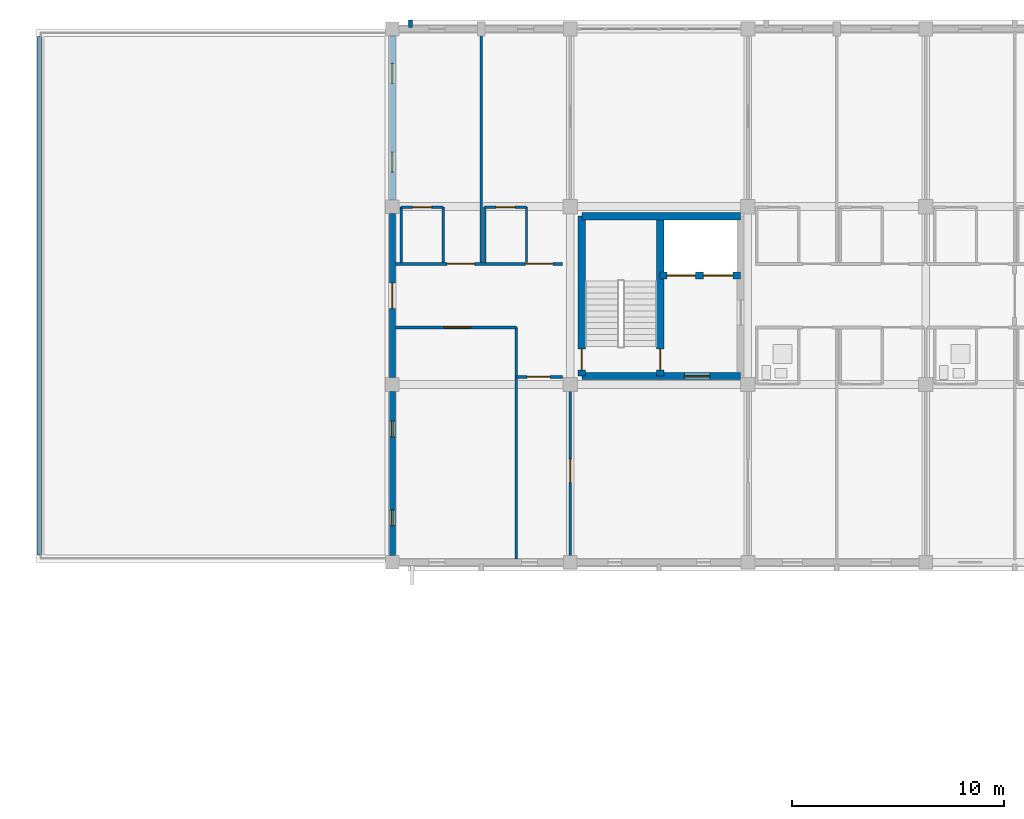
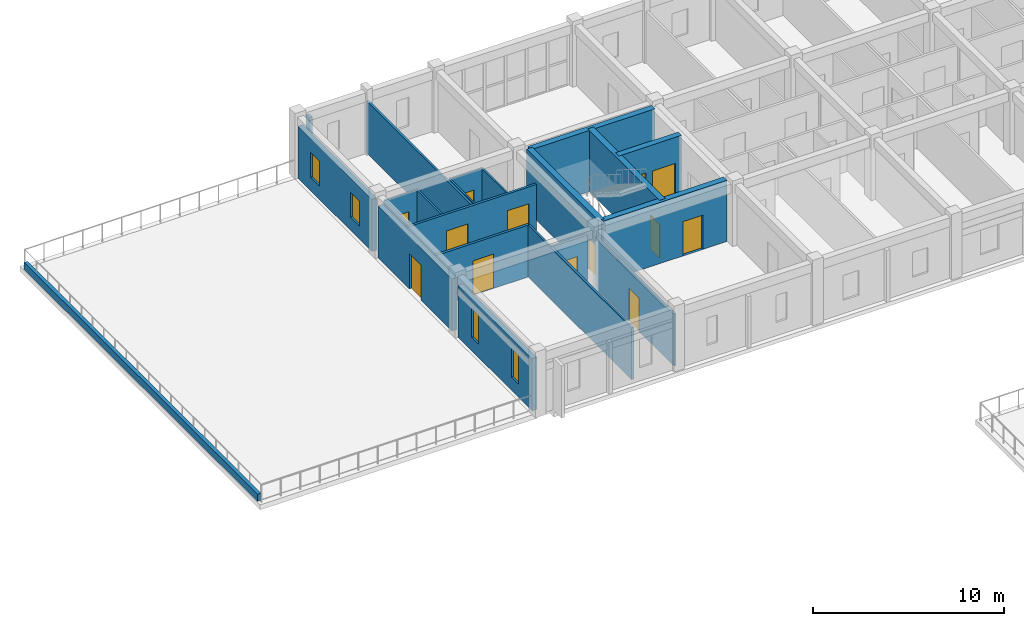
# One storey, part 69 of 90: 22 walls, 13 doors, 4 windows, 17 openings.
"""IFC4 building model written with IfcOpenShell, lengths in metres."""

from ifc_helpers import new_model, si_unit, direction, frame, frame_2d, origin, place, context, subcontext, project, spatial, rectangle, extrude, material, layer, layer_set, type_object, element, fill, save


model = new_model("IFC4")

# Units and contexts
model_context = context("Model", 3, precision=1e-05, world=origin(), true_north=direction((0.0, 1.0)))
body_context = subcontext(model_context, "Body", "Model", "MODEL_VIEW")
ifc_project = project(units=[si_unit("LENGTHUNIT", "METRE"), si_unit("AREAUNIT", "SQUARE_METRE"), si_unit("VOLUMEUNIT", "CUBIC_METRE"), si_unit("PLANEANGLEUNIT", "RADIAN"), si_unit("MASSUNIT", "GRAM", prefix="KILO")], contexts=[model_context])

# Site, building, storey
site_placement = place(None, origin())
site = spatial("IfcSite", under=ifc_project, at=site_placement, CompositionType="ELEMENT")
building_placement = place(site_placement, origin())
building = spatial("IfcBuilding", under=site, at=building_placement, Name="Trelvath General Hospital", CompositionType="ELEMENT")
storey_placement = place(building_placement, frame((0.0, 0.0, 20.39990234375)))
storey = spatial("IfcBuildingStorey", under=building, at=storey_placement, Name="L05", CompositionType="ELEMENT", Elevation=20.39990234375)

# Wall
ifc_material_1 = material(Name="Precast concrete C40/50", Category="concrete")
ifc_layer_1 = layer(ifc_material_1, 0.199951171875)
ifc_layer_set_1 = layer_set([ifc_layer_1], Name="Precast concrete C40/50")
wall_type_1 = type_object("IfcWallType", Name="BriseSoleilRib 200", PredefinedType="ELEMENTEDWALL", material=ifc_layer_set_1)
wall_1_placement = place(storey_placement, frame((34.463134765625, 117.675048828125, 0.0), z_axis=(0.0, 0.0, 1.0), x_axis=(0.0, 1.0, 0.0)))
element("IfcWall", 1, at=wall_1_placement, inside=storey, type_object=wall_type_1, Name="Precast Concrete Brise-Soleil Rib Fin L05-367", PredefinedType="ELEMENTEDWALL", context=body_context, shape_type="SweptSolid", body=[
    extrude(rectangle(XDim=0.33984375, YDim=0.199951171875, at=frame_2d((0.169921875, 0.0))), origin(), (0.0, 0.0, 1.0), 3.320068359375),
])

# Wall, opening, door
ifc_material_2 = material(Name="Gypsum acoustic steel-stud partition", Category="steel")
ifc_layer_2 = layer(ifc_material_2, 0.14990234375)
ifc_layer_set_2 = layer_set([ifc_layer_2], Name="Gypsum acoustic steel-stud partition")
wall_type_2 = type_object("IfcWallType", Name="ClinicalPartition 150", PredefinedType="PARTITIONING", material=ifc_layer_set_2)
wall_2_placement = place(storey_placement, frame((33.739990234375, 103.5, 0.0), z_axis=(0.0, 0.0, 1.0), x_axis=(1.0, 0.0, 0.0)))
wall_2 = element("IfcWall", 2, at=wall_2_placement, inside=storey, type_object=wall_type_2, Name="Nurse Station Partition L05-1864", PredefinedType="PARTITIONING", context=body_context, shape_type="SweptSolid", body=[
    extrude(rectangle(XDim=5.719970703125, YDim=0.14990234375, at=frame_2d((2.85986328125, 0.0))), origin(), (0.0, 0.0, 1.0), 3.320068359375),
])
opening_1_placement = place(wall_2_placement, frame((2.320068359375, 0.0, 0.0)))
opening_1 = element("IfcOpeningElement", 3, at=opening_1_placement, cuts=wall_2, Name="Opening D-5-1223", PredefinedType="OPENING", context=body_context, shape_type="SweptSolid", body=[
    extrude(rectangle(XDim=1.25, YDim=2.199951171875, at=frame_2d((0.625, 1.10009765625))), frame((0.0, 0.0849609375, 0.0), z_axis=(0.0, -1.0, 0.0), x_axis=(1.0, 0.0, 0.0)), (0.0, 0.0, 1.0), 0.169921875),
])
ifc_material_3 = material(Name="Acoustic hospital timber leaf", Category="wood")
door_type_1 = type_object("IfcDoorType", Name="Door Treatment 1250x2200", OperationType="NOTDEFINED", PredefinedType="DOOR", material=ifc_material_3)
door_1_placement = place(opening_1_placement, origin())
door_1 = element("IfcDoor", 4, at=door_1_placement, inside=storey, type_object=door_type_1, Name="Nurse Station Door L05-1223", OperationType="SINGLE_SWING_LEFT", OverallHeight=2.199951171875, OverallWidth=1.25, PredefinedType="DOOR", context=body_context, shape_type="SweptSolid", body=[
    extrude(rectangle(XDim=1.25, YDim=2.199951171875, at=frame_2d((0.625, 1.10009765625))), frame((0.0, 0.02490234375, 0.0), z_axis=(0.0, -1.0, 0.0), x_axis=(1.0, 0.0, 0.0)), (0.0, 0.0, 1.0), 0.050048828125),
])
fill(opening_1, door_1)

wall_3_placement = place(storey_placement, frame((39.4599609375, 101.159912109375, 0.0), z_axis=(0.0, 0.0, 1.0), x_axis=(1.0, 0.0, 0.0)))
wall_3 = element("IfcWall", 5, at=wall_3_placement, inside=storey, type_object=wall_type_2, Name="Clean Utility Partition L05-1866", PredefinedType="PARTITIONING", context=body_context, shape_type="SweptSolid", body=[
    extrude(rectangle(XDim=2.179931640625, YDim=0.14990234375, at=frame_2d((1.08984375, 0.0))), origin(), (0.0, 0.0, 1.0), 3.320068359375),
])
opening_2_placement = place(wall_3_placement, frame((0.5, 0.0, 0.0)))
opening_2 = element("IfcOpeningElement", 6, at=opening_2_placement, cuts=wall_3, Name="Opening D-5-1224", PredefinedType="OPENING", context=body_context, shape_type="SweptSolid", body=[
    extrude(rectangle(XDim=1.080078125, YDim=2.14990234375, at=frame_2d((0.5400390625, 1.074951171875))), frame((0.0, 0.0849609375, 0.0), z_axis=(0.0, -1.0, 0.0), x_axis=(1.0, 0.0, 0.0)), (0.0, 0.0, 1.0), 0.169921875),
])
ifc_material_4 = material(Name="Acoustic hospital timber leaf", Category="wood")
door_type_2 = type_object("IfcDoorType", Name="Door CleanSupply 1080x2150", OperationType="NOTDEFINED", PredefinedType="DOOR", material=ifc_material_4)
door_2_placement = place(opening_2_placement, origin())
door_2 = element("IfcDoor", 7, at=door_2_placement, inside=storey, type_object=door_type_2, Name="Clean Utility Door L05-1224", OperationType="SINGLE_SWING_RIGHT", OverallHeight=2.14990234375, OverallWidth=1.080078125, PredefinedType="DOOR", context=body_context, shape_type="SweptSolid", body=[
    extrude(rectangle(XDim=1.080078125, YDim=2.14990234375, at=frame_2d((0.5400390625, 1.074951171875))), frame((0.0, 0.02490234375, 0.0), z_axis=(0.0, -1.0, 0.0), x_axis=(1.0, 0.0, 0.0)), (0.0, 0.0, 1.0), 0.050048828125),
])
fill(opening_2, door_2)

# Wall, openings, doors
wall_4_placement = place(storey_placement, frame((41.639892578125, 106.5, 0.0), z_axis=(0.0, 0.0, 1.0), x_axis=(-1.0, 0.0, 0.0)))
wall_4 = element("IfcWall", 8, at=wall_4_placement, inside=storey, type_object=wall_type_2, Name="Corridor Partition N L05-1867", PredefinedType="PARTITIONING", context=body_context, shape_type="SweptSolid", body=[
    extrude(rectangle(XDim=7.89990234375, YDim=0.14990234375, at=frame_2d((3.949951171875, 0.0))), origin(), (0.0, 0.0, 1.0), 3.320068359375),
])
opening_3_placement = place(wall_4_placement, frame((0.449951171875, 0.0, 0.0)))
opening_3 = element("IfcOpeningElement", 9, at=opening_3_placement, cuts=wall_4, Name="Opening D-5-1225", PredefinedType="OPENING", context=body_context, shape_type="SweptSolid", body=[
    extrude(rectangle(XDim=1.300048828125, YDim=2.25, at=frame_2d((0.64990234375, 1.125))), frame((0.0, 0.0849609375, 0.0), z_axis=(0.0, -1.0, 0.0), x_axis=(1.0, 0.0, 0.0)), (0.0, 0.0, 1.0), 0.169921875),
])
opening_4_placement = place(wall_4_placement, frame((4.14990234375, 0.0, 0.0)))
opening_4 = element("IfcOpeningElement", 10, at=opening_4_placement, cuts=wall_4, Name="Opening D-5-1226", PredefinedType="OPENING", context=body_context, shape_type="SweptSolid", body=[
    extrude(rectangle(XDim=1.300048828125, YDim=2.25, at=frame_2d((0.64990234375, 1.125))), frame((0.0, 0.0849609375, 0.0), z_axis=(0.0, -1.0, 0.0), x_axis=(1.0, 0.0, 0.0)), (0.0, 0.0, 1.0), 0.169921875),
])
ifc_material_5 = material(Name="Hospital bed-leaf timber door", Category="wood")
door_type_3 = type_object("IfcDoorType", Name="Door PatientBed 1300x2250", OperationType="NOTDEFINED", PredefinedType="DOOR", material=ifc_material_5)
door_3_placement = place(opening_3_placement, origin())
door_3 = element("IfcDoor", 11, at=door_3_placement, inside=storey, type_object=door_type_3, Name="Patient Room Door N L05-1225", OperationType="SINGLE_SWING_LEFT", OverallHeight=2.25, OverallWidth=1.300048828125, PredefinedType="DOOR", context=body_context, shape_type="SweptSolid", body=[
    extrude(rectangle(XDim=1.300048828125, YDim=2.25, at=frame_2d((0.64990234375, 1.125))), frame((0.0, 0.02490234375, 0.0), z_axis=(0.0, -1.0, 0.0), x_axis=(1.0, 0.0, 0.0)), (0.0, 0.0, 1.0), 0.050048828125),
])
fill(opening_3, door_3)
door_4_placement = place(opening_4_placement, origin())
door_4 = element("IfcDoor", 12, at=door_4_placement, inside=storey, type_object=door_type_3, Name="Patient Room Door N L05-1226", OperationType="SINGLE_SWING_LEFT", OverallHeight=2.25, OverallWidth=1.300048828125, PredefinedType="DOOR", context=body_context, shape_type="SweptSolid", body=[
    extrude(rectangle(XDim=1.300048828125, YDim=2.25, at=frame_2d((0.64990234375, 1.125))), frame((0.0, 0.02490234375, 0.0), z_axis=(0.0, -1.0, 0.0), x_axis=(1.0, 0.0, 0.0)), (0.0, 0.0, 1.0), 0.050048828125),
])
fill(opening_4, door_4)

# Wall, opening, door
ifc_material_6 = material(Name="Concrete C40/50", Category="concrete")
ifc_layer_3 = layer(ifc_material_6, 0.35009765625)
ifc_layer_set_3 = layer_set([ifc_layer_3], Name="Concrete C40/50")
wall_type_3 = type_object("IfcWallType", Name="CoreShearWall 350", PredefinedType="SHEAR", material=ifc_layer_set_3)
wall_5_placement = place(storey_placement, frame((42.550048828125, 101.199951171875, 0.0), z_axis=(0.0, 0.0, 1.0), x_axis=(1.0, 0.0, 0.0)))
wall_5 = element("IfcWall", 13, at=wall_5_placement, inside=storey, type_object=wall_type_3, Name="Core Shear Wall C1 S L05", PredefinedType="SHEAR", context=body_context, shape_type="SweptSolid", body=[
    extrude(rectangle(XDim=7.5, YDim=0.35009765625, at=frame_2d((3.75, 0.0))), origin(), (0.0, 0.0, 1.0), 3.920166015625),
])
opening_5_placement = place(wall_5_placement, frame((4.85009765625, 0.0, 0.0)))
opening_5 = element("IfcOpeningElement", 14, at=opening_5_placement, cuts=wall_5, Name="Opening FD-LS15", PredefinedType="OPENING", context=body_context, shape_type="SweptSolid", body=[
    extrude(rectangle(XDim=1.199951171875, YDim=2.199951171875, at=frame_2d((0.60009765625, 1.10009765625))), frame((0.0, 0.18505859375, 0.0), z_axis=(0.0, -1.0, 0.0), x_axis=(1.0, 0.0, 0.0)), (0.0, 0.0, 1.0), 0.3701171875),
])
ifc_material_7 = material(Name="Fire-rated steel door", Category="steel")
door_type_4 = type_object("IfcDoorType", Name="Door FireLobby 1200x2200", OperationType="NOTDEFINED", PredefinedType="DOOR", material=ifc_material_7)
door_5_placement = place(opening_5_placement, origin())
door_5 = element("IfcDoor", 15, at=door_5_placement, inside=storey, type_object=door_type_4, Name="Fire Lobby South Door C1 L05", OperationType="SINGLE_SWING_RIGHT", OverallHeight=2.199951171875, OverallWidth=1.199951171875, PredefinedType="DOOR", context=body_context, shape_type="SweptSolid", body=[
    extrude(rectangle(XDim=1.199951171875, YDim=2.199951171875, at=frame_2d((0.60009765625, 1.10009765625))), frame((0.0, 0.02490234375, 0.0), z_axis=(0.0, -1.0, 0.0), x_axis=(1.0, 0.0, 0.0)), (0.0, 0.0, 1.0), 0.050048828125),
])
fill(opening_5, door_5)

# Wall
wall_6_placement = place(storey_placement, frame((42.550048828125, 108.75, 0.0), z_axis=(0.0, 0.0, 1.0), x_axis=(1.0, 0.0, 0.0)))
element("IfcWall", 16, at=wall_6_placement, inside=storey, type_object=wall_type_3, Name="Core Shear Wall C1 N L05", PredefinedType="SHEAR", context=body_context, shape_type="SweptSolid", body=[
    extrude(rectangle(XDim=7.5, YDim=0.35009765625, at=frame_2d((3.75, 0.0))), origin(), (0.0, 0.0, 1.0), 3.920166015625),
])

# Wall, opening, door
wall_7_placement = place(storey_placement, frame((42.550048828125, 101.199951171875, 0.0), z_axis=(0.0, 0.0, 1.0), x_axis=(0.0, 1.0, 0.0)))
wall_7 = element("IfcWall", 17, at=wall_7_placement, inside=storey, type_object=wall_type_3, Name="Core Shear Wall C1 W L05", PredefinedType="SHEAR", context=body_context, shape_type="SweptSolid", body=[
    extrude(rectangle(XDim=7.550048828125, YDim=0.35009765625, at=frame_2d((3.77490234375, 0.0))), origin(), (0.0, 0.0, 1.0), 3.920166015625),
])
opening_6_placement = place(wall_7_placement, frame((0.280029296875, 0.0, 0.0)))
opening_6 = element("IfcOpeningElement", 18, at=opening_6_placement, cuts=wall_7, Name="Opening FD-SW15", PredefinedType="OPENING", context=body_context, shape_type="SweptSolid", body=[
    extrude(rectangle(XDim=1.0, YDim=2.14990234375, at=frame_2d((0.5, 1.074951171875))), frame((0.0, 0.18505859375, 0.0), z_axis=(0.0, -1.0, 0.0), x_axis=(1.0, 0.0, 0.0)), (0.0, 0.0, 1.0), 0.3701171875),
])
ifc_material_8 = material(Name="Fire-rated steel door", Category="steel")
door_type_5 = type_object("IfcDoorType", Name="Door FireStair 1100x2150", OperationType="NOTDEFINED", PredefinedType="DOOR", material=ifc_material_8)
door_6_placement = place(opening_6_placement, origin())
door_6 = element("IfcDoor", 19, at=door_6_placement, inside=storey, type_object=door_type_5, Name="West Corridor Stair Door ST1 L05", OperationType="SINGLE_SWING_LEFT", OverallHeight=2.14990234375, OverallWidth=1.0, PredefinedType="DOOR", context=body_context, shape_type="SweptSolid", body=[
    extrude(rectangle(XDim=1.0, YDim=2.14990234375, at=frame_2d((0.5, 1.074951171875))), frame((0.0, 0.02490234375, 0.0), z_axis=(0.0, -1.0, 0.0), x_axis=(1.0, 0.0, 0.0)), (0.0, 0.0, 1.0), 0.050048828125),
])
fill(opening_6, door_6)

wall_8_placement = place(storey_placement, frame((46.25, 101.199951171875, 0.0), z_axis=(0.0, 0.0, 1.0), x_axis=(0.0, 1.0, 0.0)))
wall_8 = element("IfcWall", 20, at=wall_8_placement, inside=storey, type_object=wall_type_3, Name="Core Shear Wall C1 SPINE L05", PredefinedType="SHEAR", context=body_context, shape_type="SweptSolid", body=[
    extrude(rectangle(XDim=7.550048828125, YDim=0.35009765625, at=frame_2d((3.77490234375, 0.0))), origin(), (0.0, 0.0, 1.0), 3.920166015625),
])
opening_7_placement = place(wall_8_placement, frame((0.280029296875, 0.0, 0.0)))
opening_7 = element("IfcOpeningElement", 21, at=opening_7_placement, cuts=wall_8, Name="Opening FD-S15", PredefinedType="OPENING", context=body_context, shape_type="SweptSolid", body=[
    extrude(rectangle(XDim=1.0, YDim=2.14990234375, at=frame_2d((0.5, 1.074951171875))), frame((0.0, 0.18505859375, 0.0), z_axis=(0.0, -1.0, 0.0), x_axis=(1.0, 0.0, 0.0)), (0.0, 0.0, 1.0), 0.3701171875),
])
door_7_placement = place(opening_7_placement, origin())
door_7 = element("IfcDoor", 22, at=door_7_placement, inside=storey, type_object=door_type_5, Name="Exit Stair Door ST1 L05", OperationType="SINGLE_SWING_RIGHT", OverallHeight=2.14990234375, OverallWidth=1.0, PredefinedType="DOOR", context=body_context, shape_type="SweptSolid", body=[
    extrude(rectangle(XDim=1.0, YDim=2.14990234375, at=frame_2d((0.5, 1.074951171875))), frame((0.0, 0.02490234375, 0.0), z_axis=(0.0, -1.0, 0.0), x_axis=(1.0, 0.0, 0.0)), (0.0, 0.0, 1.0), 0.050048828125),
])
fill(opening_7, door_7)

# Wall, openings, doors
wall_9_placement = place(storey_placement, frame((46.25, 105.949951171875, 0.0), z_axis=(0.0, 0.0, 1.0), x_axis=(1.0, 0.0, 0.0)))
wall_9 = element("IfcWall", 23, at=wall_9_placement, inside=storey, type_object=wall_type_3, Name="Core Shear Wall C1 SHAFT L05", PredefinedType="SHEAR", context=body_context, shape_type="SweptSolid", body=[
    extrude(rectangle(XDim=3.800048828125, YDim=0.35009765625, at=frame_2d((1.89990234375, 0.0))), origin(), (0.0, 0.0, 1.0), 3.920166015625),
])
opening_8_placement = place(wall_9_placement, frame((0.320068359375, 0.0, 0.0)))
opening_8 = element("IfcOpeningElement", 24, at=opening_8_placement, cuts=wall_9, Name="Opening LD-FF1-5", PredefinedType="OPENING", context=body_context, shape_type="SweptSolid", body=[
    extrude(rectangle(XDim=1.35009765625, YDim=2.25, at=frame_2d((0.675048828125, 1.125))), frame((0.0, 0.18505859375, 0.0), z_axis=(0.0, -1.0, 0.0), x_axis=(1.0, 0.0, 0.0)), (0.0, 0.0, 1.0), 0.3701171875),
])
opening_9_placement = place(wall_9_placement, frame((2.0400390625, 0.0, 0.0)))
opening_9 = element("IfcOpeningElement", 25, at=opening_9_placement, cuts=wall_9, Name="Opening LD-BD1-5", PredefinedType="OPENING", context=body_context, shape_type="SweptSolid", body=[
    extrude(rectangle(XDim=1.39990234375, YDim=2.25, at=frame_2d((0.699951171875, 1.125))), frame((0.0, 0.18505859375, 0.0), z_axis=(0.0, -1.0, 0.0), x_axis=(1.0, 0.0, 0.0)), (0.0, 0.0, 1.0), 0.3701171875),
])
ifc_material_9 = material(Name="Stainless steel stretcher lift landing door", Category="steel")
door_type_6 = type_object("IfcDoorType", Name="Door LiftBed 1400x2250", OperationType="SLIDING_TO_LEFT", PredefinedType="DOOR", material=ifc_material_9)
door_8_placement = place(opening_9_placement, origin())
door_8 = element("IfcDoor", 26, at=door_8_placement, inside=storey, type_object=door_type_6, Name="Lift Landing Sliding Door LF-BD1 L05", OperationType="SLIDING_TO_LEFT", OverallHeight=2.25, OverallWidth=1.39990234375, PredefinedType="DOOR", context=body_context, shape_type="SweptSolid", body=[
    extrude(rectangle(XDim=1.39990234375, YDim=2.25, at=frame_2d((0.699951171875, 1.125))), frame((0.0, 0.02490234375, 0.0), z_axis=(0.0, -1.0, 0.0), x_axis=(1.0, 0.0, 0.0)), (0.0, 0.0, 1.0), 0.050048828125),
])
fill(opening_9, door_8)
ifc_material_10 = material(Name="Fire-rated stainless lift landing door")
door_type_7 = type_object("IfcDoorType", Name="Door LiftFire 1350x2250", OperationType="SLIDING_TO_LEFT", PredefinedType="DOOR", material=ifc_material_10)
door_9_placement = place(opening_8_placement, origin())
door_9 = element("IfcDoor", 27, at=door_9_placement, inside=storey, type_object=door_type_7, Name="Lift Landing Sliding Door LF-FF1 L05", OperationType="SLIDING_TO_LEFT", OverallHeight=2.25, OverallWidth=1.35009765625, PredefinedType="DOOR", context=body_context, shape_type="SweptSolid", body=[
    extrude(rectangle(XDim=1.35009765625, YDim=2.25, at=frame_2d((0.675048828125, 1.125))), frame((0.0, 0.02490234375, 0.0), z_axis=(0.0, -1.0, 0.0), x_axis=(1.0, 0.0, 0.0)), (0.0, 0.0, 1.0), 0.050048828125),
])
fill(opening_8, door_9)

# Walls
ifc_material_11 = material(Name="Moisture-resistant tile partition")
ifc_layer_4 = layer(ifc_material_11, 0.110107421875)
ifc_layer_set_4 = layer_set([ifc_layer_4], Name="Moisture-resistant tile partition")
wall_type_4 = type_object("IfcWallType", Name="EnSuiteWetWall 110", PredefinedType="PARTITIONING", material=ifc_layer_set_4)
for number, where, z_axis, x_axis, name in (
    (28, (34.02001953125, 106.570068359375, 0.0), (0.0, 0.0, 1.0), (0.0, 1.0, 0.0), "En-Suite W Wall N L05-1869"),
    (29, (36.0, 106.570068359375, 0.0), (0.0, 0.0, 1.0), (0.0, 1.0, 0.0), "En-Suite E Wall N L05-1870"),
):
    element("IfcWall", number, at=place(storey_placement, frame(where, z_axis=z_axis, x_axis=x_axis)), inside=storey, type_object=wall_type_4, Name=name, PredefinedType="PARTITIONING", context=body_context, shape_type="SweptSolid", body=[
        extrude(rectangle(XDim=2.60986328125, YDim=0.110107421875, at=frame_2d((1.304931640625, 0.0))), origin(), (0.0, 0.0, 1.0), 3.320068359375),
    ])

# Wall, opening, door
wall_10_placement = place(storey_placement, frame((34.02001953125, 109.179931640625, 0.0), z_axis=(0.0, 0.0, 1.0), x_axis=(1.0, 0.0, 0.0)))
wall_10 = element("IfcWall", 30, at=wall_10_placement, inside=storey, type_object=wall_type_4, Name="En-Suite Bathroom N Partition L05-1871", PredefinedType="PARTITIONING", context=body_context, shape_type="SweptSolid", body=[
    extrude(rectangle(XDim=1.97998046875, YDim=0.110107421875, at=frame_2d((0.989990234375, 0.0))), origin(), (0.0, 0.0, 1.0), 3.320068359375),
])
opening_10_placement = place(wall_10_placement, frame((0.5400390625, 0.0, 0.0)))
opening_10 = element("IfcOpeningElement", 31, at=opening_10_placement, cuts=wall_10, Name="Opening D-5-1227", PredefinedType="OPENING", context=body_context, shape_type="SweptSolid", body=[
    extrude(rectangle(XDim=0.89990234375, YDim=2.10009765625, at=frame_2d((0.449951171875, 1.050048828125))), frame((0.0, 0.06494140625, 0.0), z_axis=(0.0, -1.0, 0.0), x_axis=(1.0, 0.0, 0.0)), (0.0, 0.0, 1.0), 0.130126953125),
])
ifc_material_12 = material(Name="Moisture-sealed timber leaf", Category="wood")
door_type_8 = type_object("IfcDoorType", Name="Door EnSuite 900x2100", OperationType="NOTDEFINED", PredefinedType="DOOR", material=ifc_material_12)
door_10_placement = place(opening_10_placement, origin())
door_10 = element("IfcDoor", 32, at=door_10_placement, inside=storey, type_object=door_type_8, Name="En-Suite Bathroom N Door L05-1227", OperationType="SINGLE_SWING_RIGHT", OverallHeight=2.10009765625, OverallWidth=0.89990234375, PredefinedType="DOOR", context=body_context, shape_type="SweptSolid", body=[
    extrude(rectangle(XDim=0.89990234375, YDim=2.10009765625, at=frame_2d((0.449951171875, 1.050048828125))), frame((0.0, 0.02490234375, 0.0), z_axis=(0.0, -1.0, 0.0), x_axis=(1.0, 0.0, 0.0)), (0.0, 0.0, 1.0), 0.050048828125),
])
fill(opening_10, door_10)

# Walls
for number, where, z_axis, x_axis, name in (
    (33, (37.9599609375, 106.570068359375, 0.0), (0.0, 0.0, 1.0), (0.0, 1.0, 0.0), "En-Suite W Wall N L05-1872"),
    (34, (39.93994140625, 106.570068359375, 0.0), (0.0, 0.0, 1.0), (0.0, 1.0, 0.0), "En-Suite E Wall N L05-1873"),
):
    element("IfcWall", number, at=place(storey_placement, frame(where, z_axis=z_axis, x_axis=x_axis)), inside=storey, type_object=wall_type_4, Name=name, PredefinedType="PARTITIONING", context=body_context, shape_type="SweptSolid", body=[
        extrude(rectangle(XDim=2.60986328125, YDim=0.110107421875, at=frame_2d((1.304931640625, 0.0))), origin(), (0.0, 0.0, 1.0), 3.320068359375),
    ])

# Wall, opening, door
wall_11_placement = place(storey_placement, frame((37.9599609375, 109.179931640625, 0.0), z_axis=(0.0, 0.0, 1.0), x_axis=(1.0, 0.0, 0.0)))
wall_11 = element("IfcWall", 35, at=wall_11_placement, inside=storey, type_object=wall_type_4, Name="En-Suite Bathroom N Partition L05-1874", PredefinedType="PARTITIONING", context=body_context, shape_type="SweptSolid", body=[
    extrude(rectangle(XDim=1.97998046875, YDim=0.110107421875, at=frame_2d((0.989990234375, 0.0))), origin(), (0.0, 0.0, 1.0), 3.320068359375),
])
opening_11_placement = place(wall_11_placement, frame((0.5400390625, 0.0, 0.0)))
opening_11 = element("IfcOpeningElement", 36, at=opening_11_placement, cuts=wall_11, Name="Opening D-5-1228", PredefinedType="OPENING", context=body_context, shape_type="SweptSolid", body=[
    extrude(rectangle(XDim=0.89990234375, YDim=2.10009765625, at=frame_2d((0.449951171875, 1.050048828125))), frame((0.0, 0.06494140625, 0.0), z_axis=(0.0, -1.0, 0.0), x_axis=(1.0, 0.0, 0.0)), (0.0, 0.0, 1.0), 0.130126953125),
])
door_11_placement = place(opening_11_placement, origin())
door_11 = element("IfcDoor", 37, at=door_11_placement, inside=storey, type_object=door_type_8, Name="En-Suite Bathroom N Door L05-1228", OperationType="SINGLE_SWING_LEFT", OverallHeight=2.10009765625, OverallWidth=0.89990234375, PredefinedType="DOOR", context=body_context, shape_type="SweptSolid", body=[
    extrude(rectangle(XDim=0.89990234375, YDim=2.10009765625, at=frame_2d((0.449951171875, 1.050048828125))), frame((0.0, 0.02490234375, 0.0), z_axis=(0.0, -1.0, 0.0), x_axis=(1.0, 0.0, 0.0)), (0.0, 0.0, 1.0), 0.050048828125),
])
fill(opening_11, door_11)

# Wall, openings, windows
ifc_material_13 = material(Name="Concrete C35/45", Category="concrete")
ifc_layer_5 = layer(ifc_material_13, 0.2900390625)
ifc_layer_set_5 = layer_set([ifc_layer_5], Name="Concrete C35/45")
wall_type_5 = type_object("IfcWallType", Name="ExtBushHammeredWall 290", PredefinedType="SOLIDWALL", material=ifc_layer_set_5)
wall_12_placement = place(storey_placement, frame((33.60009765625, 92.719970703125, 0.0), z_axis=(0.0, 0.0, 1.0), x_axis=(0.0, 1.0, 0.0)))
wall_12 = element("IfcWall", 38, at=wall_12_placement, inside=storey, type_object=wall_type_5, Name="Exterior Concrete Wall L05-498", PredefinedType="SOLIDWALL", context=body_context, shape_type="SweptSolid", body=[
    extrude(rectangle(XDim=7.760009765625, YDim=0.2900390625, at=frame_2d((3.8798828125, 0.0))), origin(), (0.0, 0.0, 1.0), 3.340087890625),
])
opening_12_placement = place(wall_12_placement, frame((1.409912109375, 0.0, 0.85009765625)))
opening_12 = element("IfcOpeningElement", 39, at=opening_12_placement, cuts=wall_12, Name="Opening WN-5-823", PredefinedType="OPENING", context=body_context, shape_type="SweptSolid", body=[
    extrude(rectangle(XDim=0.75, YDim=1.85009765625, at=frame_2d((0.375, 0.925048828125))), frame((0.0, 0.155029296875, 0.0), z_axis=(0.0, -1.0, 0.0), x_axis=(1.0, 0.0, 0.0)), (0.0, 0.0, 1.0), 0.31005859375),
])
opening_13_placement = place(wall_12_placement, frame((5.60009765625, 0.0, 0.85009765625)))
opening_13 = element("IfcOpeningElement", 40, at=opening_13_placement, cuts=wall_12, Name="Opening WN-5-824", PredefinedType="OPENING", context=body_context, shape_type="SweptSolid", body=[
    extrude(rectangle(XDim=0.75, YDim=1.85009765625, at=frame_2d((0.375, 0.925048828125))), frame((0.0, 0.155029296875, 0.0), z_axis=(0.0, -1.0, 0.0), x_axis=(1.0, 0.0, 0.0)), (0.0, 0.0, 1.0), 0.31005859375),
])
ifc_material_14 = material(Name="Low-E laminated glass", Category="glass")
window_type_1 = type_object("IfcWindowType", Name="Window SunSlot 750x1850", PartitioningType="SINGLE_PANEL", PredefinedType="WINDOW", material=ifc_material_14)
window_1_placement = place(opening_12_placement, origin())
window_1 = element("IfcWindow", 41, at=window_1_placement, inside=storey, type_object=window_type_1, Name="Solar Reveal Window L05-823", OverallHeight=1.85009765625, OverallWidth=0.75, PartitioningType="SINGLE_PANEL", PredefinedType="WINDOW", context=body_context, shape_type="SweptSolid", body=[
    extrude(rectangle(XDim=0.75, YDim=1.85009765625, at=frame_2d((0.375, 0.925048828125))), frame((0.0, 0.030029296875, 0.0), z_axis=(0.0, -1.0, 0.0), x_axis=(1.0, 0.0, 0.0)), (0.0, 0.0, 1.0), 0.06005859375),
])
fill(opening_12, window_1)
window_2_placement = place(opening_13_placement, origin())
window_2 = element("IfcWindow", 42, at=window_2_placement, inside=storey, type_object=window_type_1, Name="Solar Reveal Window L05-824", OverallHeight=1.85009765625, OverallWidth=0.75, PartitioningType="SINGLE_PANEL", PredefinedType="WINDOW", context=body_context, shape_type="SweptSolid", body=[
    extrude(rectangle(XDim=0.75, YDim=1.85009765625, at=frame_2d((0.375, 0.925048828125))), frame((0.0, 0.030029296875, 0.0), z_axis=(0.0, -1.0, 0.0), x_axis=(1.0, 0.0, 0.0)), (0.0, 0.0, 1.0), 0.06005859375),
])
fill(opening_13, window_2)

# Wall, opening, door
wall_13_placement = place(storey_placement, frame((33.60009765625, 101.1201171875, 0.0), z_axis=(0.0, 0.0, 1.0), x_axis=(0.0, 1.0, 0.0)))
wall_13 = element("IfcWall", 43, at=wall_13_placement, inside=storey, type_object=wall_type_5, Name="Exterior Concrete Wall L05-499", PredefinedType="SOLIDWALL", context=body_context, shape_type="SweptSolid", body=[
    extrude(rectangle(XDim=7.759765625, YDim=0.2900390625, at=frame_2d((3.8798828125, 0.0))), origin(), (0.0, 0.0, 1.0), 3.340087890625),
])
opening_14_placement = place(wall_13_placement, frame((3.280029296875, 0.0, 0.0)))
opening_14 = element("IfcOpeningElement", 44, at=opening_14_placement, cuts=wall_13, Name="Opening TD-5-63", PredefinedType="OPENING", context=body_context, shape_type="SweptSolid", body=[
    extrude(rectangle(XDim=1.199951171875, YDim=2.25, at=frame_2d((0.60009765625, 1.125))), frame((0.0, 0.155029296875, 0.0), z_axis=(0.0, -1.0, 0.0), x_axis=(1.0, 0.0, 0.0)), (0.0, 0.0, 1.0), 0.31005859375),
])
ifc_material_15 = material(Name="Thermally broken glazed aluminium door", Category="aluminium")
door_type_9 = type_object("IfcDoorType", Name="Door Terrace 1200x2250", OperationType="NOTDEFINED", PredefinedType="DOOR", material=ifc_material_15)
door_12_placement = place(opening_14_placement, origin())
door_12 = element("IfcDoor", 45, at=door_12_placement, inside=storey, type_object=door_type_9, Name="Planted Terrace Access Door TERR-NW-W5 L05", OperationType="SINGLE_SWING_RIGHT", OverallHeight=2.25, OverallWidth=1.199951171875, PredefinedType="DOOR", context=body_context, shape_type="SweptSolid", body=[
    extrude(rectangle(XDim=1.199951171875, YDim=2.25, at=frame_2d((0.60009765625, 1.125))), frame((0.0, 0.02490234375, 0.0), z_axis=(0.0, -1.0, 0.0), x_axis=(1.0, 0.0, 0.0)), (0.0, 0.0, 1.0), 0.050048828125),
])
fill(opening_14, door_12)

# Wall, openings, windows
wall_14_placement = place(storey_placement, frame((33.60009765625, 109.52001953125, 0.0), z_axis=(0.0, 0.0, 1.0), x_axis=(0.0, 1.0, 0.0)))
wall_14 = element("IfcWall", 46, at=wall_14_placement, inside=storey, type_object=wall_type_5, Name="Exterior Concrete Wall L05-501", PredefinedType="SOLIDWALL", context=body_context, shape_type="SweptSolid", body=[
    extrude(rectangle(XDim=7.760009765625, YDim=0.2900390625, at=frame_2d((3.8798828125, 0.0))), origin(), (0.0, 0.0, 1.0), 3.340087890625),
])
opening_15_placement = place(wall_14_placement, frame((1.309814453125, 0.0, 0.85009765625)))
opening_15 = element("IfcOpeningElement", 47, at=opening_15_placement, cuts=wall_14, Name="Opening WN-5-827", PredefinedType="OPENING", context=body_context, shape_type="SweptSolid", body=[
    extrude(rectangle(XDim=0.949951171875, YDim=1.60009765625, at=frame_2d((0.47509765625, 0.800048828125))), frame((0.0, 0.155029296875, 0.0), z_axis=(0.0, -1.0, 0.0), x_axis=(1.0, 0.0, 0.0)), (0.0, 0.0, 1.0), 0.31005859375),
])
opening_16_placement = place(wall_14_placement, frame((5.500244140625, 0.0, 0.85009765625)))
opening_16 = element("IfcOpeningElement", 48, at=opening_16_placement, cuts=wall_14, Name="Opening WN-5-828", PredefinedType="OPENING", context=body_context, shape_type="SweptSolid", body=[
    extrude(rectangle(XDim=0.949951171875, YDim=1.60009765625, at=frame_2d((0.47509765625, 0.800048828125))), frame((0.0, 0.155029296875, 0.0), z_axis=(0.0, -1.0, 0.0), x_axis=(1.0, 0.0, 0.0)), (0.0, 0.0, 1.0), 0.31005859375),
])
ifc_material_16 = material(Name="Low-E laminated glass", Category="glass")
window_type_2 = type_object("IfcWindowType", Name="Window DeepReveal 950x1600", PartitioningType="SINGLE_PANEL", PredefinedType="WINDOW", material=ifc_material_16)
window_3_placement = place(opening_15_placement, origin())
window_3 = element("IfcWindow", 49, at=window_3_placement, inside=storey, type_object=window_type_2, Name="Solar Reveal Window L05-827", OverallHeight=1.60009765625, OverallWidth=0.949951171875, PartitioningType="SINGLE_PANEL", PredefinedType="WINDOW", context=body_context, shape_type="SweptSolid", body=[
    extrude(rectangle(XDim=0.949951171875, YDim=1.60009765625, at=frame_2d((0.47509765625, 0.800048828125))), frame((0.0, 0.030029296875, 0.0), z_axis=(0.0, -1.0, 0.0), x_axis=(1.0, 0.0, 0.0)), (0.0, 0.0, 1.0), 0.06005859375),
])
fill(opening_15, window_3)
window_4_placement = place(opening_16_placement, origin())
window_4 = element("IfcWindow", 50, at=window_4_placement, inside=storey, type_object=window_type_2, Name="Solar Reveal Window L05-828", OverallHeight=1.60009765625, OverallWidth=0.949951171875, PartitioningType="SINGLE_PANEL", PredefinedType="WINDOW", context=body_context, shape_type="SweptSolid", body=[
    extrude(rectangle(XDim=0.949951171875, YDim=1.60009765625, at=frame_2d((0.47509765625, 0.800048828125))), frame((0.0, 0.030029296875, 0.0), z_axis=(0.0, -1.0, 0.0), x_axis=(1.0, 0.0, 0.0)), (0.0, 0.0, 1.0), 0.06005859375),
])
fill(opening_16, window_4)

# Walls
ifc_material_17 = material(Name="Concrete C35/45", Category="concrete")
ifc_layer_6 = layer(ifc_material_17, 0.2099609375)
ifc_layer_set_6 = layer_set([ifc_layer_6], Name="Concrete C35/45")
wall_type_6 = type_object("IfcWallType", Name="TerraceParapet 210", PredefinedType="PARAPET", material=ifc_layer_set_6)
wall_15_placement = place(storey_placement, frame((16.949951171875, 92.75, 0.0), z_axis=(0.0, 0.0, 1.0), x_axis=(0.0, 1.0, 0.0)))
element("IfcWall", 51, at=wall_15_placement, inside=storey, type_object=wall_type_6, Name="Terrace Planter Upstand TERR-NW-W5", PredefinedType="PARAPET", context=body_context, shape_type="SweptSolid", body=[
    extrude(rectangle(XDim=24.5, YDim=0.2099609375, at=frame_2d((12.25, 0.0))), origin(), (0.0, 0.0, 1.0), 0.4501953125),
])
ifc_material_18 = material(Name="Gypsum acoustic steel-stud partition", Category="steel")
ifc_layer_7 = layer(ifc_material_18, 0.1298828125)
ifc_layer_set_7 = layer_set([ifc_layer_7], Name="Gypsum acoustic steel-stud partition")
wall_type_7 = type_object("IfcWallType", Name="WardPartition 130", PredefinedType="PARTITIONING", material=ifc_layer_set_7)
wall_16_placement = place(storey_placement, frame((39.4599609375, 92.56005859375, 0.0), z_axis=(0.0, 0.0, 1.0), x_axis=(0.0, 1.0, 0.0)))
element("IfcWall", 52, at=wall_16_placement, inside=storey, type_object=wall_type_7, Name="Nurse Alcove Partition L05-1865", PredefinedType="PARTITIONING", context=body_context, shape_type="SweptSolid", body=[
    extrude(rectangle(XDim=10.93994140625, YDim=0.1298828125, at=frame_2d((5.469970703125, 0.0))), origin(), (0.0, 0.0, 1.0), 3.320068359375),
])
wall_17_placement = place(storey_placement, frame((37.800048828125, 106.570068359375, 0.0), z_axis=(0.0, 0.0, 1.0), x_axis=(0.0, 1.0, 0.0)))
element("IfcWall", 53, at=wall_17_placement, inside=storey, type_object=wall_type_7, Name="Room Dividing Partition N L05-1868", PredefinedType="PARTITIONING", context=body_context, shape_type="SweptSolid", body=[
    extrude(rectangle(XDim=10.929931640625, YDim=0.1298828125, at=frame_2d((5.46484375, 0.0))), origin(), (0.0, 0.0, 1.0), 3.320068359375),
])

# Wall, opening, door
wall_18_placement = place(storey_placement, frame((42.0, 92.5400390625, 0.0), z_axis=(0.0, 0.0, 1.0), x_axis=(0.0, 1.0, 0.0)))
wall_18 = element("IfcWall", 54, at=wall_18_placement, inside=storey, type_object=wall_type_7, Name="Inter-Bay Ward Partition S L05-1875", PredefinedType="PARTITIONING", context=body_context, shape_type="SweptSolid", body=[
    extrude(rectangle(XDim=8.2099609375, YDim=0.1298828125, at=frame_2d((4.10498046875, 0.0))), origin(), (0.0, 0.0, 1.0), 3.320068359375),
])
opening_17_placement = place(wall_18_placement, frame((3.639892578125, 0.0, 0.0)))
opening_17 = element("IfcOpeningElement", 55, at=opening_17_placement, cuts=wall_18, Name="Opening D-5-1229", PredefinedType="OPENING", context=body_context, shape_type="SweptSolid", body=[
    extrude(rectangle(XDim=1.080078125, YDim=2.14990234375, at=frame_2d((0.5400390625, 1.074951171875))), frame((0.0, 0.074951171875, 0.0), z_axis=(0.0, -1.0, 0.0), x_axis=(1.0, 0.0, 0.0)), (0.0, 0.0, 1.0), 0.14990234375),
])
door_13_placement = place(opening_17_placement, origin())
door_13 = element("IfcDoor", 56, at=door_13_placement, inside=storey, type_object=door_type_2, Name="Clean Supply Connecting Door L05-1229", OperationType="SINGLE_SWING_RIGHT", OverallHeight=2.14990234375, OverallWidth=1.080078125, PredefinedType="DOOR", context=body_context, shape_type="SweptSolid", body=[
    extrude(rectangle(XDim=1.080078125, YDim=2.14990234375, at=frame_2d((0.5400390625, 1.074951171875))), frame((0.0, 0.02490234375, 0.0), z_axis=(0.0, -1.0, 0.0), x_axis=(1.0, 0.0, 0.0)), (0.0, 0.0, 1.0), 0.050048828125),
])
fill(opening_17, door_13)

save(model, "model.ifc")
